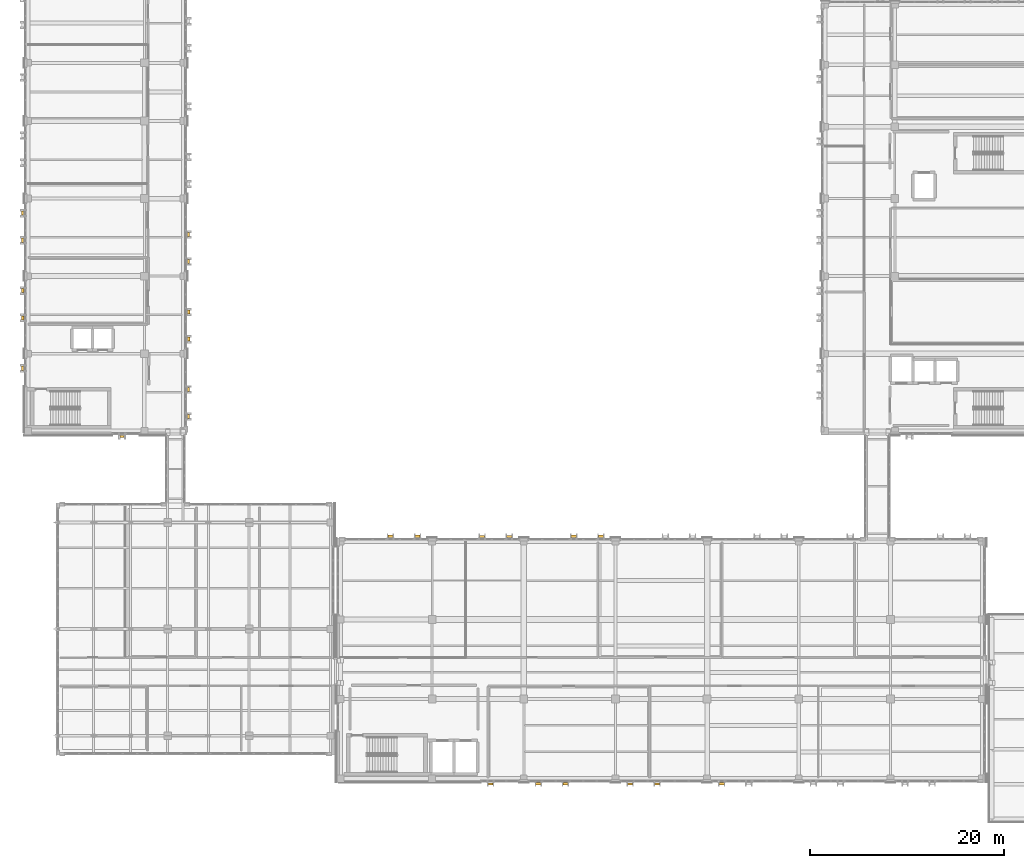
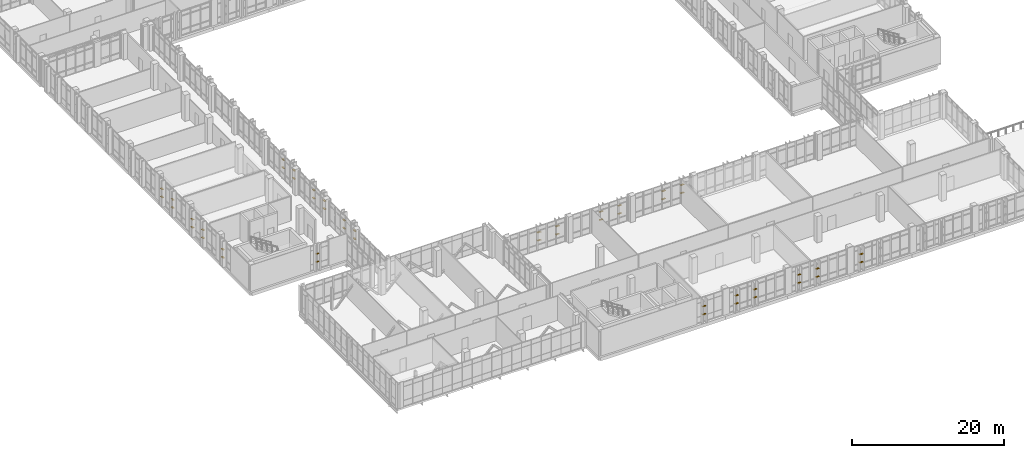
# One storey, part 162 of 165: 48 shading devices.
"""IFC4 building model written with IfcOpenShell, lengths in metres."""

from ifc_helpers import new_model, si_unit, direction, frame, origin, origin_2d, place, context, subcontext, project, spatial, rectangle, extrude, material, type_object, element, save


model = new_model("IFC4")

# Units and contexts
model_context = context("Model", 3, precision=1e-05, world=origin(), true_north=direction((0.0, 1.0)))
body_context = subcontext(model_context, "Body", "Model", "MODEL_VIEW")
ifc_project = project(units=[si_unit("LENGTHUNIT", "METRE"), si_unit("AREAUNIT", "SQUARE_METRE"), si_unit("VOLUMEUNIT", "CUBIC_METRE"), si_unit("PLANEANGLEUNIT", "RADIAN"), si_unit("MASSUNIT", "GRAM", prefix="KILO")], contexts=[model_context])

# Site, building, storey
site_placement = place(None, origin())
site = spatial("IfcSite", under=ifc_project, at=site_placement, CompositionType="ELEMENT")
building_placement = place(site_placement, origin())
building = spatial("IfcBuilding", under=site, at=building_placement, Name="Qalavern Law Courts", CompositionType="ELEMENT")
storey_placement = place(building_placement, frame((0.0, 0.0, 14.39990234375)))
storey = spatial("IfcBuildingStorey", under=building, at=storey_placement, Name="L03", CompositionType="ELEMENT", Elevation=14.39990234375)

# Shading devices
ifc_material = material(Name="Anodised aluminium", Category="aluminium")
shading_device_type_1 = type_object("IfcShadingDeviceType", Name="ENV-LOUV-1", PredefinedType="JALOUSIE", material=ifc_material)
for number, where, z_axis, x_axis, name in (
    (1, (50.10009765625, 5.03759765625, 1.342041015625), (0.0, 0.0, 1.0), (1.0, 0.0, 0.0), "Horizontal sun louvre V2-L03-0-1"),
    (2, (50.10009765625, 5.03759765625, 2.6357421875), (0.0, 0.0, 1.0), (1.0, 0.0, 0.0), "Horizontal sun louvre V2-L03-0-2"),
    (3, (64.48291015625, 5.03759765625, 1.342041015625), (0.0, 0.0, 1.0), (1.0, 0.0, 0.0), "Horizontal sun louvre V2-L03-0-1"),
    (4, (64.48291015625, 5.03759765625, 2.6357421875), (0.0, 0.0, 1.0), (1.0, 0.0, 0.0), "Horizontal sun louvre V2-L03-0-2"),
    (5, (67.282958984375, 5.03759765625, 1.342041015625), (0.0, 0.0, 1.0), (1.0, 0.0, 0.0), "Horizontal sun louvre V2-L03-1-1"),
    (6, (67.282958984375, 5.03759765625, 2.6357421875), (0.0, 0.0, 1.0), (1.0, 0.0, 0.0), "Horizontal sun louvre V2-L03-1-2"),
    (7, (52.028564453125, 30.5625, 1.342041015625), (0.0, 0.0, 1.0), (-1.0, 0.0, 0.0), "Horizontal sun louvre V2-L03-0-1"),
    (8, (52.028564453125, 30.5625, 2.6357421875), (0.0, 0.0, 1.0), (-1.0, 0.0, 0.0), "Horizontal sun louvre V2-L03-0-2"),
    (9, (49.228515625, 30.5625, 1.342041015625), (0.0, 0.0, 1.0), (-1.0, 0.0, 0.0), "Horizontal sun louvre V2-L03-1-1"),
    (10, (49.228515625, 30.5625, 2.6357421875), (0.0, 0.0, 1.0), (-1.0, 0.0, 0.0), "Horizontal sun louvre V2-L03-1-2"),
):
    element("IfcShadingDevice", number, at=place(storey_placement, frame(where, z_axis=z_axis, x_axis=x_axis)), inside=storey, type_object=shading_device_type_1, Name=name, PredefinedType="JALOUSIE", context=body_context, shape_type="SweptSolid", body=[
        extrude(rectangle(XDim=0.534912109375, YDim=0.2099609375, at=origin_2d()), origin(), (0.0, 0.0, 1.0), 0.06005859375),
    ])
for number, where, z_axis, x_axis, name in (
    (11, (12.10009765625, 40.857421875, 1.342041015625), (0.0, 0.0, 1.0), (1.0, 0.0, 0.0), "Horizontal sun louvre V3-L03-0-1"),
    (12, (12.10009765625, 40.857421875, 2.6357421875), (0.0, 0.0, 1.0), (1.0, 0.0, 0.0), "Horizontal sun louvre V3-L03-0-2"),
    (13, (18.96240234375, 42.919921875, 1.342041015625), (0.0, 0.0, 1.0), (0.0, 1.0, 0.0), "Horizontal sun louvre V3-L03-0-1"),
    (14, (18.96240234375, 42.919921875, 2.6357421875), (0.0, 0.0, 1.0), (0.0, 1.0, 0.0), "Horizontal sun louvre V3-L03-0-2"),
    (15, (18.96240234375, 45.719970703125, 1.342041015625), (0.0, 0.0, 1.0), (0.0, 1.0, 0.0), "Horizontal sun louvre V3-L03-1-1"),
    (16, (18.96240234375, 45.719970703125, 2.6357421875), (0.0, 0.0, 1.0), (0.0, 1.0, 0.0), "Horizontal sun louvre V3-L03-1-2"),
    (17, (18.96240234375, 58.89990234375, 1.342041015625), (0.0, 0.0, 1.0), (0.0, 1.0, 0.0), "Horizontal sun louvre V3-L03-0-1"),
    (18, (18.96240234375, 58.89990234375, 2.6357421875), (0.0, 0.0, 1.0), (0.0, 1.0, 0.0), "Horizontal sun louvre V3-L03-0-2"),
    (19, (18.96240234375, 61.699951171875, 1.342041015625), (0.0, 0.0, 1.0), (0.0, 1.0, 0.0), "Horizontal sun louvre V3-L03-1-1"),
    (20, (18.96240234375, 61.699951171875, 2.6357421875), (0.0, 0.0, 1.0), (0.0, 1.0, 0.0), "Horizontal sun louvre V3-L03-1-2"),
    (21, (1.83740234375, 63.89990234375, 1.342041015625), (0.0, 0.0, 1.0), (0.0, -1.0, 0.0), "Horizontal sun louvre V3-L03-0-1"),
    (22, (1.83740234375, 63.89990234375, 2.6357421875), (0.0, 0.0, 1.0), (0.0, -1.0, 0.0), "Horizontal sun louvre V3-L03-0-2"),
    (23, (1.83740234375, 61.10009765625, 1.342041015625), (0.0, 0.0, 1.0), (0.0, -1.0, 0.0), "Horizontal sun louvre V3-L03-1-1"),
    (24, (1.83740234375, 61.10009765625, 2.6357421875), (0.0, 0.0, 1.0), (0.0, -1.0, 0.0), "Horizontal sun louvre V3-L03-1-2"),
    (25, (1.83740234375, 47.89990234375, 1.342041015625), (0.0, 0.0, 1.0), (0.0, -1.0, 0.0), "Horizontal sun louvre V3-L03-0-1"),
    (26, (1.83740234375, 47.89990234375, 2.6357421875), (0.0, 0.0, 1.0), (0.0, -1.0, 0.0), "Horizontal sun louvre V3-L03-0-2"),
):
    element("IfcShadingDevice", number, at=place(storey_placement, frame(where, z_axis=z_axis, x_axis=x_axis)), inside=storey, type_object=shading_device_type_1, Name=name, PredefinedType="JALOUSIE", context=body_context, shape_type="SweptSolid", body=[
        extrude(rectangle(XDim=0.419921875, YDim=0.2099609375, at=origin_2d()), origin(), (0.0, 0.0, 1.0), 0.06005859375),
    ])
shading_device_type_2 = type_object("IfcShadingDeviceType", Name="ENV-LOUV-2", PredefinedType="JALOUSIE", material=ifc_material)
for number, where, z_axis, x_axis, name in (
    (27, (55.028564453125, 5.03759765625, 1.342041015625), (0.0, 0.0, 1.0), (1.0, 0.0, 0.0), "Horizontal sun louvre V2-L03-0-1"),
    (28, (55.028564453125, 5.03759765625, 2.6357421875), (0.0, 0.0, 1.0), (1.0, 0.0, 0.0), "Horizontal sun louvre V2-L03-0-2"),
    (29, (57.82861328125, 5.03759765625, 1.342041015625), (0.0, 0.0, 1.0), (1.0, 0.0, 0.0), "Horizontal sun louvre V2-L03-1-1"),
    (30, (57.82861328125, 5.03759765625, 2.6357421875), (0.0, 0.0, 1.0), (1.0, 0.0, 0.0), "Horizontal sun louvre V2-L03-1-2"),
    (31, (73.93701171875, 5.03759765625, 1.342041015625), (0.0, 0.0, 1.0), (1.0, 0.0, 0.0), "Horizontal sun louvre V2-L03-0-1"),
    (32, (73.93701171875, 5.03759765625, 2.6357421875), (0.0, 0.0, 1.0), (1.0, 0.0, 0.0), "Horizontal sun louvre V2-L03-0-2"),
    (33, (61.48291015625, 30.5625, 1.342041015625), (0.0, 0.0, 1.0), (-1.0, 0.0, 0.0), "Horizontal sun louvre V2-L03-0-1"),
    (34, (61.48291015625, 30.5625, 2.6357421875), (0.0, 0.0, 1.0), (-1.0, 0.0, 0.0), "Horizontal sun louvre V2-L03-0-2"),
    (35, (58.682861328125, 30.5625, 1.342041015625), (0.0, 0.0, 1.0), (-1.0, 0.0, 0.0), "Horizontal sun louvre V2-L03-1-1"),
    (36, (58.682861328125, 30.5625, 2.6357421875), (0.0, 0.0, 1.0), (-1.0, 0.0, 0.0), "Horizontal sun louvre V2-L03-1-2"),
    (37, (42.57421875, 30.5625, 1.342041015625), (0.0, 0.0, 1.0), (-1.0, 0.0, 0.0), "Horizontal sun louvre V2-L03-0-1"),
    (38, (42.57421875, 30.5625, 2.6357421875), (0.0, 0.0, 1.0), (-1.0, 0.0, 0.0), "Horizontal sun louvre V2-L03-0-2"),
    (39, (39.7744140625, 30.5625, 1.342041015625), (0.0, 0.0, 1.0), (-1.0, 0.0, 0.0), "Horizontal sun louvre V2-L03-1-1"),
    (40, (39.7744140625, 30.5625, 2.6357421875), (0.0, 0.0, 1.0), (-1.0, 0.0, 0.0), "Horizontal sun louvre V2-L03-1-2"),
):
    element("IfcShadingDevice", number, at=place(storey_placement, frame(where, z_axis=z_axis, x_axis=x_axis)), inside=storey, type_object=shading_device_type_2, Name=name, PredefinedType="JALOUSIE", context=body_context, shape_type="SweptSolid", body=[
        extrude(rectangle(XDim=0.534912109375, YDim=0.25, at=origin_2d()), origin(), (0.0, 0.0, 1.0), 0.06005859375),
    ])
for number, where, z_axis, x_axis, name in (
    (41, (18.96240234375, 50.89990234375, 1.342041015625), (0.0, 0.0, 1.0), (0.0, 1.0, 0.0), "Horizontal sun louvre V3-L03-0-1"),
    (42, (18.96240234375, 50.89990234375, 2.6357421875), (0.0, 0.0, 1.0), (0.0, 1.0, 0.0), "Horizontal sun louvre V3-L03-0-2"),
    (43, (18.96240234375, 53.699951171875, 1.342041015625), (0.0, 0.0, 1.0), (0.0, 1.0, 0.0), "Horizontal sun louvre V3-L03-1-1"),
    (44, (18.96240234375, 53.699951171875, 2.6357421875), (0.0, 0.0, 1.0), (0.0, 1.0, 0.0), "Horizontal sun louvre V3-L03-1-2"),
    (45, (1.83740234375, 55.89990234375, 1.342041015625), (0.0, 0.0, 1.0), (0.0, -1.0, 0.0), "Horizontal sun louvre V3-L03-0-1"),
    (46, (1.83740234375, 55.89990234375, 2.6357421875), (0.0, 0.0, 1.0), (0.0, -1.0, 0.0), "Horizontal sun louvre V3-L03-0-2"),
    (47, (1.83740234375, 53.10009765625, 1.342041015625), (0.0, 0.0, 1.0), (0.0, -1.0, 0.0), "Horizontal sun louvre V3-L03-1-1"),
    (48, (1.83740234375, 53.10009765625, 2.6357421875), (0.0, 0.0, 1.0), (0.0, -1.0, 0.0), "Horizontal sun louvre V3-L03-1-2"),
):
    element("IfcShadingDevice", number, at=place(storey_placement, frame(where, z_axis=z_axis, x_axis=x_axis)), inside=storey, type_object=shading_device_type_2, Name=name, PredefinedType="JALOUSIE", context=body_context, shape_type="SweptSolid", body=[
        extrude(rectangle(XDim=0.419921875, YDim=0.25, at=origin_2d()), origin(), (0.0, 0.0, 1.0), 0.06005859375),
    ])

save(model, "model.ifc")
